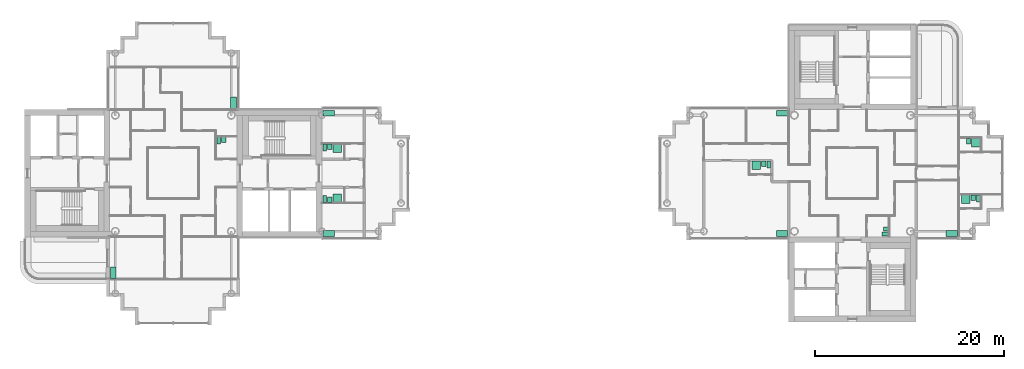
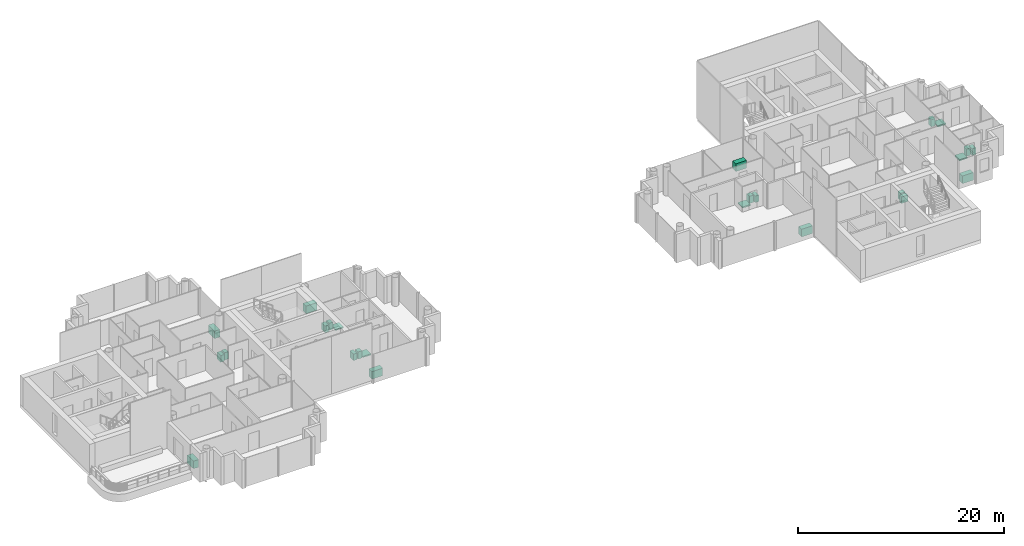
# One storey, part 18 of 18: 25 sanitary terminals.
"""IFC4 building model written with IfcOpenShell, lengths in metres."""

from ifc_helpers import new_model, si_unit, direction, frame, origin, origin_2d, place, context, subcontext, project, spatial, rectangle, extrude, material, type_object, element, save


model = new_model("IFC4")

# Units and contexts
model_context = context("Model", 3, precision=1e-05, world=origin(), true_north=direction((0.0, 1.0)))
body_context = subcontext(model_context, "Body", "Model", "MODEL_VIEW")
ifc_project = project(units=[si_unit("LENGTHUNIT", "METRE"), si_unit("AREAUNIT", "SQUARE_METRE"), si_unit("VOLUMEUNIT", "CUBIC_METRE"), si_unit("PLANEANGLEUNIT", "RADIAN"), si_unit("MASSUNIT", "GRAM", prefix="KILO")], contexts=[model_context])

# Site, building, storey
site_placement = place(None, origin())
site = spatial("IfcSite", under=ifc_project, at=site_placement, CompositionType="ELEMENT")
building_placement = place(site_placement, origin())
building = spatial("IfcBuilding", under=site, at=building_placement, Name="Ipe Terrace Towers", CompositionType="ELEMENT")
storey_placement = place(building_placement, frame((0.0, 0.0, 192.60009765625)))
storey = spatial("IfcBuildingStorey", under=building, at=storey_placement, Name="L53", CompositionType="ELEMENT", Elevation=192.60009765625)

# Sanitary terminals
ifc_material_1 = material(Name="Stainless sink unit", Category="metal")
sanitary_terminal_type_1 = type_object("IfcSanitaryTerminalType", Name="Kitchen sink unit", PredefinedType="SINK", material=ifc_material_1)
for number, where, z_axis, x_axis, name in (
    (1, (-29.6201171875, 7.469970703125, 0.0), (0.0, 0.0, 1.0), (0.0, -1.0, 0.0), "Kitchen sink unit"),
    (2, (-42.3798828125, -10.530029296875, 0.0), (0.0, 0.0, 1.0), (0.0, 1.0, 0.0), "Kitchen sink unit"),
    (3, (-19.530029296875, 6.3798828125, 0.0), (0.0, 0.0, 1.0), (1.0, 0.0, 0.0), "Kitchen sink unit"),
    (4, (-19.530029296875, -6.3798828125, 0.0), (0.0, 0.0, 1.0), (-1.0, 0.0, 0.0), "Kitchen sink unit"),
    (5, (28.530029296875, -6.3798828125, 0.0), (0.0, 0.0, 1.0), (-1.0, 0.0, 0.0), "Kitchen sink unit"),
    (6, (28.530029296875, 6.3798828125, 0.0), (0.0, 0.0, 1.0), (1.0, 0.0, 0.0), "Kitchen sink unit"),
    (7, (46.530029296875, -6.3798828125, 0.0), (0.0, 0.0, 1.0), (-1.0, 0.0, 0.0), "Kitchen sink unit"),
):
    element("IfcSanitaryTerminal", number, at=place(storey_placement, frame(where, z_axis=z_axis, x_axis=x_axis)), inside=storey, type_object=sanitary_terminal_type_1, Name=name, PredefinedType="SINK", context=body_context, shape_type="SweptSolid", body=[
        extrude(rectangle(XDim=1.199951171875, YDim=0.60009765625, at=origin_2d()), origin(), (0.0, 0.0, 1.0), 0.89990234375),
    ])
ifc_material_2 = material(Name="Acrylic", Category="plastic")
sanitary_terminal_type_2 = type_object("IfcSanitaryTerminalType", Name="Shower tray", PredefinedType="SHOWER", material=ifc_material_2)
for number, where, z_axis, x_axis, name in (
    (8, (-18.6298828125, 2.6298828125, 0.0), (0.0, 0.0, 1.0), (0.0, -1.0, 0.0), "Shower tray"),
    (9, (-18.6298828125, -2.6298828125, 0.0), (0.0, 0.0, 1.0), (0.0, 1.0, 0.0), "Shower tray"),
    (10, (25.830078125, 0.830078125, 0.0), (0.0, 0.0, 1.0), (0.0, -1.0, 0.0), "Shower tray"),
    (11, (49.080078125, 3.22998046875, 0.0), (0.0, 0.0, 1.0), (0.0, -1.0, 0.0), "Shower tray"),
    (12, (48.030029296875, -2.77001953125, 0.0), (0.0, 0.0, 1.0), (0.0, -1.0, 0.0), "Shower tray"),
):
    element("IfcSanitaryTerminal", number, at=place(storey_placement, frame(where, z_axis=z_axis, x_axis=x_axis)), inside=storey, type_object=sanitary_terminal_type_2, Name=name, PredefinedType="SHOWER", context=body_context, shape_type="SweptSolid", body=[
        extrude(rectangle(XDim=0.89990234375, YDim=0.89990234375, at=origin_2d()), origin(), (0.0, 0.0, 1.0), 0.14990234375),
    ])
ifc_material_3 = material(Name="Vitreous china", Category="ceramic")
sanitary_terminal_type_3 = type_object("IfcSanitaryTerminalType", Name="Wash basin", PredefinedType="WASHHANDBASIN", material=ifc_material_3)
for number, where, z_axis, x_axis, name in (
    (13, (-30.655029296875, 3.554931640625, -0.000244140625), (0.0, 0.0, 1.0), (0.0, -1.0, 0.0), "Wash basin"),
    (14, (-19.405029296875, 2.804931640625, -0.000244140625), (0.0, 0.0, 1.0), (0.0, -1.0, 0.0), "Wash basin"),
    (15, (-19.405029296875, -2.804931640625, -0.000244140625), (0.0, 0.0, 1.0), (0.0, 1.0, 0.0), "Wash basin"),
    (16, (39.554931640625, -5.905029296875, -0.000244140625), (0.0, 0.0, 1.0), (-1.0, 0.0, 0.0), "Wash basin"),
    (17, (26.60498046875, 1.0048828125, -0.000244140625), (0.0, 0.0, 1.0), (0.0, -1.0, 0.0), "Wash basin"),
    (18, (48.304931640625, 3.405029296875, -0.000244140625), (0.0, 0.0, 1.0), (0.0, -1.0, 0.0), "Wash basin"),
    (19, (48.804931640625, -2.594970703125, -0.000244140625), (0.0, 0.0, 1.0), (0.0, -1.0, 0.0), "Wash basin"),
):
    element("IfcSanitaryTerminal", number, at=place(storey_placement, frame(where, z_axis=z_axis, x_axis=x_axis)), inside=storey, type_object=sanitary_terminal_type_3, Name=name, PredefinedType="WASHHANDBASIN", context=body_context, shape_type="SweptSolid", body=[
        extrude(rectangle(XDim=0.550048828125, YDim=0.449951171875, at=origin_2d()), origin(), (0.0, 0.0, 1.0), 0.85009765625),
    ])
ifc_material_4 = material(Name="Vitreous china", Category="ceramic")
sanitary_terminal_type_4 = type_object("IfcSanitaryTerminalType", Name="Water closet", PredefinedType="TOILETPAN", material=ifc_material_4)
for number, where, z_axis, x_axis, name in (
    (20, (-31.179931640625, 3.47998046875, 0.0), (0.0, 0.0, 1.0), (0.0, -1.0, 0.0), "Water closet"),
    (21, (-19.929931640625, 2.72998046875, 0.0), (0.0, 0.0, 1.0), (0.0, -1.0, 0.0), "Water closet"),
    (22, (-19.929931640625, -2.72998046875, 0.0), (0.0, 0.0, 1.0), (0.0, 1.0, 0.0), "Water closet"),
    (23, (39.47998046875, -6.429931640625, 0.0), (0.0, 0.0, 1.0), (-1.0, 0.0, 0.0), "Water closet"),
    (24, (27.1298828125, 0.929931640625, 0.0), (0.0, 0.0, 1.0), (0.0, -1.0, 0.0), "Water closet"),
    (25, (49.330078125, -2.669921875, 0.0), (0.0, 0.0, 1.0), (0.0, -1.0, 0.0), "Water closet"),
):
    element("IfcSanitaryTerminal", number, at=place(storey_placement, frame(where, z_axis=z_axis, x_axis=x_axis)), inside=storey, type_object=sanitary_terminal_type_4, Name=name, PredefinedType="TOILETPAN", context=body_context, shape_type="SweptSolid", body=[
        extrude(rectangle(XDim=0.699951171875, YDim=0.39990234375, at=origin_2d()), origin(), (0.0, 0.0, 1.0), 0.780029296875),
    ])

save(model, "model.ifc")
